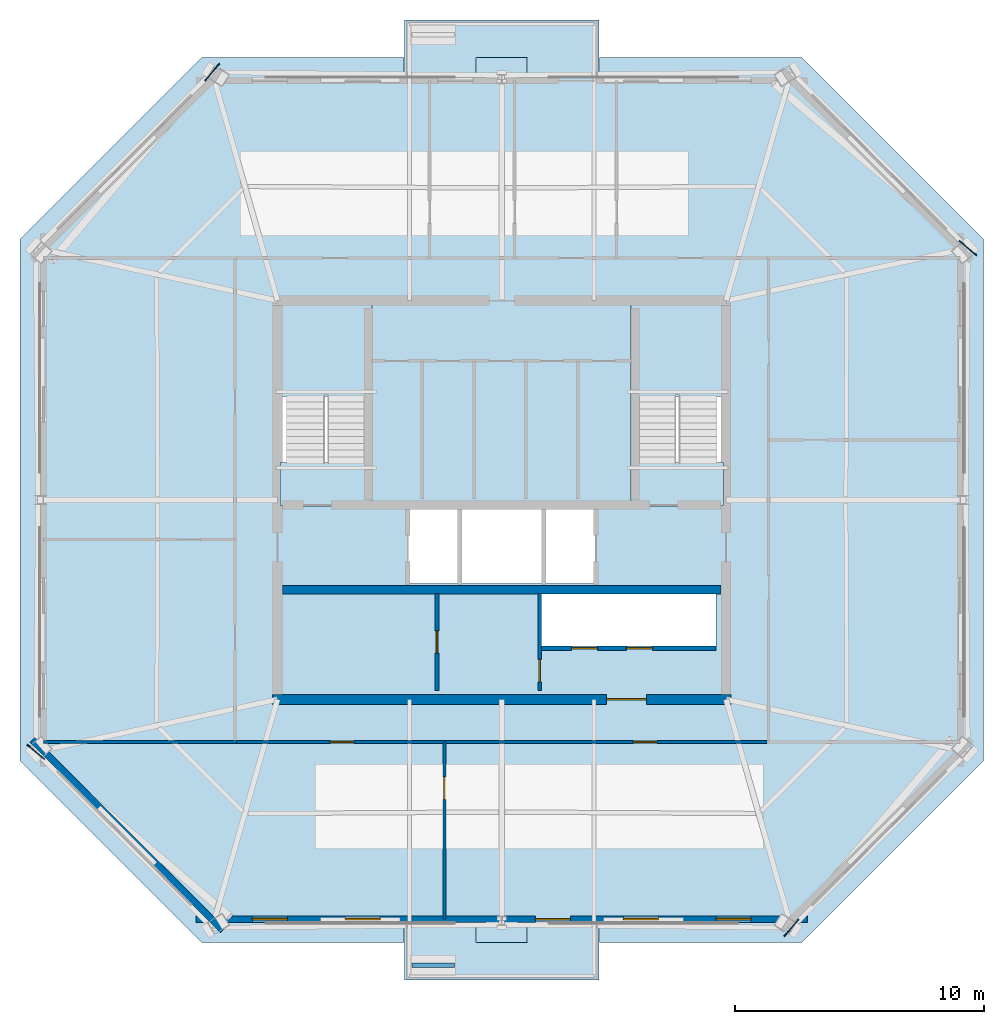
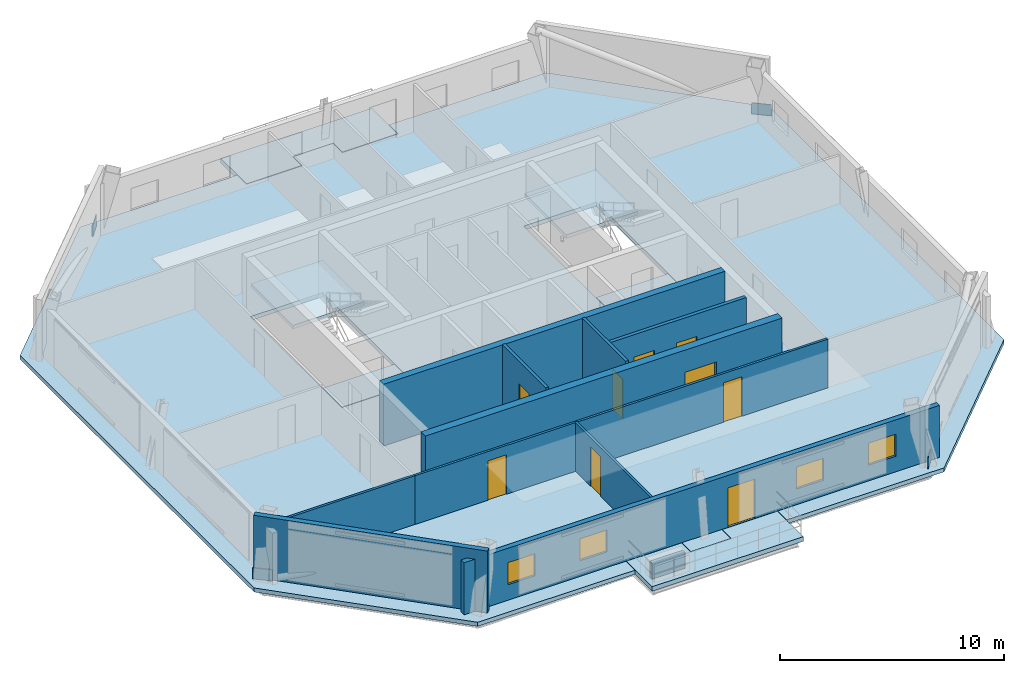
# One storey, part 2 of 7: 11 walls, 9 doors, 7 slabs, 4 plates, 4 windows, 13 openings, 2 elements without a shape of their own.
"""IFC4 building model written with IfcOpenShell, lengths in metres."""

from ifc_helpers import new_model, si_unit, direction, frame, frame_2d, origin, origin_2d, place, context, subcontext, project, spatial, polyline, rectangle, outline, extrude, material, layer, layer_set, type_object, element, fill, aggregate, save


model = new_model("IFC4")

# Units and contexts
model_context = context("Model", 3, precision=1e-05, world=origin(), true_north=direction((0.0, 1.0)))
body_context = subcontext(model_context, "Body", "Model", "MODEL_VIEW")
ifc_project = project(units=[si_unit("LENGTHUNIT", "METRE"), si_unit("AREAUNIT", "SQUARE_METRE"), si_unit("VOLUMEUNIT", "CUBIC_METRE"), si_unit("PLANEANGLEUNIT", "RADIAN"), si_unit("MASSUNIT", "GRAM", prefix="KILO")], contexts=[model_context])

# Site, building, storey
site_placement = place(None, origin())
site = spatial("IfcSite", under=ifc_project, at=site_placement, CompositionType="ELEMENT")
building_placement = place(site_placement, origin())
building = spatial("IfcBuilding", under=site, at=building_placement, Name="Caelvoria Tower", CompositionType="ELEMENT")
storey_placement = place(building_placement, frame((0.0, 0.0, 257.39990234375)))
storey = spatial("IfcBuildingStorey", under=building, at=storey_placement, Name="L68", CompositionType="ELEMENT", Elevation=257.39990234375)

# Plates
ifc_material_1 = material(Name="Structural Steel ASTM A572 Gr.50", Category="steel")
ifc_layer_1 = layer(ifc_material_1, 0.0400390625, Name="Structural Steel ASTM A572 Gr.50")
ifc_layer_set_1 = layer_set([ifc_layer_1], Name="Megaframe Node Gusset Plate 900x600x40 - Structural Steel ASTM A572 Gr.50")
plate_type = type_object("IfcPlateType", Name="Megaframe Node Gusset Plate 900x600x40", PredefinedType="USERDEFINED", material=ifc_layer_set_1)
for number, where, z_axis, x_axis, name in (
    (1, (57.62353515625, 14.83251953125, 0.02001953125), (0.0, 0.0, 1.0), (0.64804812489, 0.761599388016, 0.0), "Chamfer Mega Brace Gusset L68 SE"),
    (2, (64.702880859375, 42.112060546875, 0.02001953125), (0.0, 0.0, 1.0), (-0.762466226339, 0.647028016157, 0.0), "Chamfer Mega Brace Gusset L68 NE"),
    (3, (34.37646484375, 49.16748046875, 0.02001953125), (0.0, 0.0, 1.0), (-0.64804812489, -0.761599388016, 0.0), "Chamfer Mega Brace Gusset L68 NW"),
    (4, (27.297119140625, 21.887939453125, 0.02001953125), (0.0, 0.0, 1.0), (0.762466226339, -0.647028016157, 0.0), "Chamfer Mega Brace Gusset L68 SW"),
):
    element("IfcPlate", number, at=place(storey_placement, frame(where, z_axis=z_axis, x_axis=x_axis)), inside=storey, type_object=plate_type, Name=name, ObjectType="GUSSET_PLATE", PredefinedType="USERDEFINED", context=body_context, shape_type="SweptSolid", body=[
        extrude(rectangle(XDim=0.89990234375, YDim=0.0400390625, at=origin_2d()), origin(), (0.0, 0.0, 1.0), 0.60009765625),
    ])

# Stair, slabs
ifc_material_2 = material(Name="Concrete C40/50", Category="concrete")
stair_type = type_object("IfcStairType", Name="Core Smokeproof Dogleg Stair Concrete C40/50", PredefinedType="HALF_TURN_STAIR", material=ifc_material_2)
stair_1_placement = place(storey_placement, origin())
stair_1 = element("IfcStair", 5, at=stair_1_placement, inside=storey, type_object=stair_type, Name="ST-01 Smokeproof Exit Stair L68", PredefinedType="HALF_TURN_STAIR")
ifc_layer_2 = layer(ifc_material_2, 0.199951171875, Name="Concrete C40/50")
ifc_layer_set_2 = layer_set([ifc_layer_2], Name="Stair Half and Floor Landing Slab 200 Concrete C40/50 - Concrete C40/50")
slab_type_1 = type_object("IfcSlabType", Name="Stair Half and Floor Landing Slab 200 Concrete C40/50", PredefinedType="LANDING", material=ifc_layer_set_2)
slab_1_placement = place(storey_placement, frame((0.0, 0.0, -0.199951171875)))
slab_1 = element("IfcSlab", 6, at=slab_1_placement, type_object=slab_type_1, Name="ST-01 landing 1", PredefinedType="LANDING", context=body_context, shape_type="SweptSolid", body=[
    extrude(outline(polyline([(37.10009765625, 31.77001953125), (40.800048828125, 31.77001953125), (40.800048828125, 33.5), (37.10009765625, 33.5), (37.10009765625, 31.77001953125)])), origin(), (0.0, 0.0, 1.0), 0.199951171875),
])
slab_2_placement = place(storey_placement, frame((0.0, 0.0, 1.60009765625)))
slab_2 = element("IfcSlab", 7, at=slab_2_placement, type_object=slab_type_1, Name="ST-01 landing 2", PredefinedType="LANDING", context=body_context, shape_type="SweptSolid", body=[
    extrude(outline(polyline([(37.10009765625, 36.14990234375), (40.800048828125, 36.14990234375), (40.800048828125, 39.89990234375), (37.10009765625, 39.89990234375), (37.10009765625, 36.14990234375)])), origin(), (0.0, 0.0, 1.0), 0.199951171875),
])
aggregate(stair_1, [slab_1, slab_2])

stair_2_placement = place(storey_placement, origin())
stair_2 = element("IfcStair", 8, at=stair_2_placement, inside=storey, type_object=stair_type, Name="ST-02 Smokeproof Exit Stair L68", PredefinedType="HALF_TURN_STAIR")
slab_3_placement = place(storey_placement, frame((0.0, 0.0, -0.199951171875)))
slab_3 = element("IfcSlab", 9, at=slab_3_placement, type_object=slab_type_1, Name="ST-02 landing 1", PredefinedType="LANDING", context=body_context, shape_type="SweptSolid", body=[
    extrude(outline(polyline([(51.199951171875, 31.77001953125), (54.89990234375, 31.77001953125), (54.89990234375, 33.5), (51.199951171875, 33.5), (51.199951171875, 31.77001953125)])), origin(), (0.0, 0.0, 1.0), 0.199951171875),
])
slab_4_placement = place(storey_placement, frame((0.0, 0.0, 1.60009765625)))
slab_4 = element("IfcSlab", 10, at=slab_4_placement, type_object=slab_type_1, Name="ST-02 landing 2", PredefinedType="LANDING", context=body_context, shape_type="SweptSolid", body=[
    extrude(outline(polyline([(51.199951171875, 36.14990234375), (54.89990234375, 36.14990234375), (54.89990234375, 39.89990234375), (51.199951171875, 39.89990234375), (51.199951171875, 36.14990234375)])), origin(), (0.0, 0.0, 1.0), 0.199951171875),
])
aggregate(stair_2, [slab_3, slab_4])

# Slabs
ifc_material_3 = material(Name="Concrete C45/55", Category="concrete")
ifc_layer_3 = layer(ifc_material_3, 0.25, Name="Concrete C45/55")
ifc_layer_set_3 = layer_set([ifc_layer_3], Name="Tree Balcony Structural Planter Slab 250 - Concrete C45/55")
slab_type_2 = type_object("IfcSlabType", Name="Tree Balcony Structural Planter Slab 250", PredefinedType="FLOOR", material=ifc_layer_set_3)
slab_5_placement = place(storey_placement, frame((0.0, 0.0, -0.25)))
element("IfcSlab", 11, at=slab_5_placement, inside=storey, type_object=slab_type_2, Name="Tree Balcony Slab TB-L68-S", PredefinedType="FLOOR", context=body_context, shape_type="SweptSolid", body=[
    extrude(outline(polyline([(49.89990234375, 14.236328125), (49.89990234375, 15.036376953125), (47.0400390625, 15.036376953125), (47.0400390625, 14.236328125), (44.9599609375, 14.236328125), (44.9599609375, 15.036376953125), (42.10009765625, 15.036376953125), (42.10009765625, 14.236328125), (42.10009765625, 12.736328125), (49.89990234375, 12.736328125), (49.89990234375, 14.236328125)])), origin(), (0.0, 0.0, 1.0), 0.25),
])
slab_6_placement = place(storey_placement, frame((0.0, 0.0, -0.25)))
element("IfcSlab", 12, at=slab_6_placement, inside=storey, type_object=slab_type_2, Name="Tree Balcony Slab TB-L68-N", PredefinedType="FLOOR", context=body_context, shape_type="SweptSolid", body=[
    extrude(outline(polyline([(42.10009765625, 51.263671875), (42.10009765625, 49.763671875), (42.10009765625, 48.963623046875), (44.9599609375, 48.963623046875), (44.9599609375, 49.763671875), (47.0400390625, 49.763671875), (47.0400390625, 48.963623046875), (49.89990234375, 48.963623046875), (49.89990234375, 49.763671875), (49.89990234375, 51.263671875), (42.10009765625, 51.263671875)])), origin(), (0.0, 0.0, 1.0), 0.25),
])
ifc_layer_4 = layer(ifc_material_2, 0.22509765625, Name="Concrete C40/50")
ifc_layer_set_4 = layer_set([ifc_layer_4], Name="Upper Tower Composite Office Slab 225 - Concrete C40/50")
slab_type_3 = type_object("IfcSlabType", Name="Upper Tower Composite Office Slab 225", PredefinedType="FLOOR", material=ifc_layer_set_4)
slab_7_placement = place(storey_placement, frame((0.0, 0.0, -0.224853515625)))
element("IfcSlab", 13, at=slab_7_placement, inside=storey, type_object=slab_type_3, Name="Level L68 Structural Floor Slab", PredefinedType="FLOOR", context=body_context, shape_type="SweptSolid", body=[
    extrude(outline(polyline([(26.66357421875, 42.45458984375), (26.66357421875, 21.54541015625), (33.97265625, 14.236328125), (42.080078125, 14.236328125), (42.080078125, 15.056396484375), (44.97998046875, 15.056396484375), (44.97998046875, 14.236328125), (47.02001953125, 14.236328125), (47.02001953125, 15.056396484375), (49.919921875, 15.056396484375), (49.919921875, 14.236328125), (58.02734375, 14.236328125), (65.33642578125, 21.54541015625), (65.33642578125, 42.45458984375), (58.02734375, 49.763671875), (49.919921875, 49.763671875), (49.919921875, 48.943603515625), (47.02001953125, 48.943603515625), (47.02001953125, 49.763671875), (44.97998046875, 49.763671875), (44.97998046875, 48.943603515625), (42.080078125, 48.943603515625), (42.080078125, 49.763671875), (33.97265625, 49.763671875), (26.66357421875, 42.45458984375)]), holes=[polyline([(37.080078125, 31.75), (40.820068359375, 31.75), (40.820068359375, 39.919921875), (37.080078125, 39.919921875), (37.080078125, 31.75)]), polyline([(51.179931640625, 31.75), (54.919921875, 31.75), (54.919921875, 39.919921875), (51.179931640625, 39.919921875), (51.179931640625, 31.75)]), polyline([(42.25, 28.64990234375), (49.75, 28.64990234375), (49.75, 31.800048828125), (42.25, 31.800048828125), (42.25, 28.64990234375)]), polyline([(47.60009765625, 26.14990234375), (54.60009765625, 26.14990234375), (54.60009765625, 28.25), (47.60009765625, 28.25), (47.60009765625, 26.14990234375)])]), origin(), (0.0, 0.0, 1.0), 0.224853515625),
])

# Walls
ifc_material_4 = material(Name="Bronze-Clad Concrete C40/50", Category="concrete")
ifc_layer_5 = layer(ifc_material_4, 0.179931640625, Name="Bronze-Clad Concrete C40/50")
ifc_layer_set_5 = layer_set([ifc_layer_5], Name="Architectural Planter Kerb Wall 180 - Bronze-Clad Concrete C40/50")
wall_type_1 = type_object("IfcWallType", Name="Architectural Planter Kerb Wall 180", PredefinedType="PARAPET", material=ifc_layer_set_5)
wall_1_placement = place(storey_placement, frame((42.39990234375, 13.33642578125, 0.0), z_axis=(0.0, 0.0, 1.0), x_axis=(1.0, 0.0, 0.0)))
element("IfcWall", 14, at=wall_1_placement, inside=storey, type_object=wall_type_1, Name="Tree Balcony Planter Kerb PLANTER TB-L68-S", PredefinedType="PARAPET", context=body_context, shape_type="SweptSolid", body=[
    extrude(rectangle(XDim=1.7001953125, YDim=0.179931640625, at=frame_2d((0.85009765625, 0.0))), origin(), (0.0, 0.0, 1.0), 0.880126953125),
])
ifc_material_5 = material(Name="Concrete C50/60", Category="concrete")
ifc_layer_6 = layer(ifc_material_5, 0.35009765625, Name="Concrete C50/60")
ifc_layer_set_6 = layer_set([ifc_layer_6], Name="Core Internal Shear Wall 350 - Concrete C50/60")
wall_type_2 = type_object("IfcWallType", Name="Core Internal Shear Wall 350", PredefinedType="SHEAR", material=ifc_layer_set_6)
wall_2_placement = place(storey_placement, frame((37.199951171875, 28.39990234375, 0.0), z_axis=(0.0, 0.0, 1.0), x_axis=(1.0, 0.0, 0.0)))
element("IfcWall", 15, at=wall_2_placement, inside=storey, type_object=wall_type_2, Name="Core Shear Wall L68 M2", PredefinedType="SHEAR", context=body_context, shape_type="SweptSolid", body=[
    extrude(rectangle(XDim=17.60009765625, YDim=0.35009765625, at=frame_2d((8.800048828125, 0.0))), origin(), (0.0, 0.0, 1.0), 3.360107421875),
])

# Wall, opening, door
ifc_material_6 = material(Name="Double Gypsum Board on Steel Stud", Category="steel")
ifc_layer_7 = layer(ifc_material_6, 0.14990234375, Name="Double Gypsum Board on Steel Stud")
ifc_layer_set_7 = layer_set([ifc_layer_7], Name="Core Service Acoustic Partition Wall 150 - Double Gypsum Board on Steel Stud")
wall_type_3 = type_object("IfcWallType", Name="Core Service Acoustic Partition Wall 150", PredefinedType="PARTITIONING", material=ifc_layer_set_7)
wall_3_placement = place(storey_placement, frame((43.39990234375, 24.35009765625, 0.0), z_axis=(0.0, 0.0, 1.0), x_axis=(0.0, 1.0, 0.0)))
wall_3 = element("IfcWall", 16, at=wall_3_placement, inside=storey, type_object=wall_type_3, Name="Interior Partition IW-L68-RECL-MID", PredefinedType="PARTITIONING", context=body_context, shape_type="SweptSolid", body=[
    extrude(rectangle(XDim=3.89990234375, YDim=0.14990234375, at=frame_2d((1.949951171875, 0.0))), origin(), (0.0, 0.0, 1.0), 3.375),
])
opening_1_placement = place(wall_3_placement, frame((1.5, 0.0, 0.0)))
opening_1 = element("IfcOpeningElement", 17, at=opening_1_placement, cuts=wall_3, Name="Opening ID-06", PredefinedType="OPENING", context=body_context, shape_type="SweptSolid", body=[
    extrude(rectangle(XDim=0.89990234375, YDim=2.14990234375, at=frame_2d((0.449951171875, 1.074951171875))), frame((0.0, 0.0849609375, 0.0), z_axis=(0.0, -1.0, 0.0), x_axis=(1.0, 0.0, 0.0)), (0.0, 0.0, 1.0), 0.169921875),
])
ifc_material_7 = material(Name="Engineered Andean Oak Veneer Door", Category="wood")
door_type_1 = type_object("IfcDoorType", Name="Interior Timber Door 900x2150", OperationType="NOTDEFINED", PredefinedType="DOOR", material=ifc_material_7)
door_1_placement = place(opening_1_placement, origin())
door_1 = element("IfcDoor", 18, at=door_1_placement, inside=storey, type_object=door_type_1, Name="Interior Door DR-L68-RECL12", OperationType="SINGLE_SWING_LEFT", OverallHeight=2.14990234375, OverallWidth=0.89990234375, PredefinedType="DOOR", context=body_context, shape_type="SweptSolid", body=[
    extrude(rectangle(XDim=0.89990234375, YDim=2.14990234375, at=frame_2d((0.449951171875, 1.074951171875))), frame((0.0, 0.02490234375, 0.0), z_axis=(0.0, -1.0, 0.0), x_axis=(1.0, 0.0, 0.0)), (0.0, 0.0, 1.0), 0.050048828125),
])
fill(opening_1, door_1)

wall_4_placement = place(storey_placement, frame((47.52001953125, 24.35009765625, 0.0), z_axis=(0.0, 0.0, 1.0), x_axis=(0.0, 1.0, 0.0)))
wall_4 = element("IfcWall", 19, at=wall_4_placement, inside=storey, type_object=wall_type_3, Name="Interior Partition IW-L68-RECL2E", PredefinedType="PARTITIONING", context=body_context, shape_type="SweptSolid", body=[
    extrude(rectangle(XDim=3.89990234375, YDim=0.14990234375, at=frame_2d((1.949951171875, 0.0))), origin(), (0.0, 0.0, 1.0), 3.375),
])
opening_2_placement = place(wall_4_placement, frame((0.35009765625, 0.0, 0.0)))
opening_2 = element("IfcOpeningElement", 20, at=opening_2_placement, cuts=wall_4, Name="Opening ID-04", PredefinedType="OPENING", context=body_context, shape_type="SweptSolid", body=[
    extrude(rectangle(XDim=0.89990234375, YDim=2.14990234375, at=frame_2d((0.449951171875, 1.074951171875))), frame((0.0, 0.0849609375, 0.0), z_axis=(0.0, -1.0, 0.0), x_axis=(1.0, 0.0, 0.0)), (0.0, 0.0, 1.0), 0.169921875),
])
ifc_material_8 = material(Name="Acoustic Timber Fire Door", Category="wood")
door_type_2 = type_object("IfcDoorType", Name="Fire Door FD30S 900x2150", OperationType="NOTDEFINED", PredefinedType="DOOR", material=ifc_material_8)
door_2_placement = place(opening_2_placement, origin())
door_2 = element("IfcDoor", 21, at=door_2_placement, inside=storey, type_object=door_type_2, Name="Interior Door DR-L68-RECL2", OperationType="SINGLE_SWING_RIGHT", OverallHeight=2.14990234375, OverallWidth=0.89990234375, PredefinedType="DOOR", context=body_context, shape_type="SweptSolid", body=[
    extrude(rectangle(XDim=0.89990234375, YDim=2.14990234375, at=frame_2d((0.449951171875, 1.074951171875))), frame((0.0, 0.02490234375, 0.0), z_axis=(0.0, -1.0, 0.0), x_axis=(1.0, 0.0, 0.0)), (0.0, 0.0, 1.0), 0.050048828125),
])
fill(opening_2, door_2)

# Wall, openings, doors
ifc_material_9 = material(Name="Concrete Block and Fireboard Assembly", Category="concrete")
ifc_layer_8 = layer(ifc_material_9, 0.179931640625, Name="Concrete Block and Fireboard Assembly")
ifc_layer_set_8 = layer_set([ifc_layer_8], Name="Fire-Rated Hoistway Partition Wall 180 - Concrete Block and Fireboard Assembly")
wall_type_4 = type_object("IfcWallType", Name="Fire-Rated Hoistway Partition Wall 180", PredefinedType="PARTITIONING", material=ifc_layer_set_8)
wall_5_placement = place(storey_placement, frame((47.60009765625, 26.050048828125, 0.0), z_axis=(0.0, 0.0, 1.0), x_axis=(1.0, 0.0, 0.0)))
wall_5 = element("IfcWall", 22, at=wall_5_placement, inside=storey, type_object=wall_type_4, Name="Interior Partition IW-L68-LFRONT", PredefinedType="PARTITIONING", context=body_context, shape_type="SweptSolid", body=[
    extrude(rectangle(XDim=7.0, YDim=0.179931640625, at=frame_2d((3.5, 0.0))), origin(), (0.0, 0.0, 1.0), 3.375),
])
opening_3_placement = place(wall_5_placement, frame((1.199951171875, 0.0, 0.0)))
opening_3 = element("IfcOpeningElement", 23, at=opening_3_placement, cuts=wall_5, Name="Opening LD-01", PredefinedType="OPENING", context=body_context, shape_type="SweptSolid", body=[
    extrude(rectangle(XDim=1.050048828125, YDim=2.14990234375, at=frame_2d((0.52490234375, 1.074951171875))), frame((0.0, 0.099853515625, 0.0), z_axis=(0.0, -1.0, 0.0), x_axis=(1.0, 0.0, 0.0)), (0.0, 0.0, 1.0), 0.199951171875),
])
opening_4_placement = place(wall_5_placement, frame((3.39990234375, 0.0, 0.0)))
opening_4 = element("IfcOpeningElement", 24, at=opening_4_placement, cuts=wall_5, Name="Opening LD-01", PredefinedType="OPENING", context=body_context, shape_type="SweptSolid", body=[
    extrude(rectangle(XDim=1.050048828125, YDim=2.14990234375, at=frame_2d((0.52490234375, 1.074951171875))), frame((0.0, 0.099853515625, 0.0), z_axis=(0.0, -1.0, 0.0), x_axis=(1.0, 0.0, 0.0)), (0.0, 0.0, 1.0), 0.199951171875),
])
ifc_material_10 = material(Name="Brushed Bronze Stainless Sliding Landing Door", Category="aluminium")
door_type_3 = type_object("IfcDoorType", Name="Lift Landing Sliding Door 1100x2150", OperationType="NOTDEFINED", PredefinedType="DOOR", material=ifc_material_10)
door_3_placement = place(opening_3_placement, origin())
door_3 = element("IfcDoor", 25, at=door_3_placement, inside=storey, type_object=door_type_3, Name="Interior Door LD-L68-PH1", OperationType="SLIDING_TO_LEFT", OverallHeight=2.14990234375, OverallWidth=1.050048828125, PredefinedType="DOOR", context=body_context, shape_type="SweptSolid", body=[
    extrude(rectangle(XDim=1.050048828125, YDim=2.14990234375, at=frame_2d((0.52490234375, 1.074951171875))), frame((0.0, 0.02490234375, 0.0), z_axis=(0.0, -1.0, 0.0), x_axis=(1.0, 0.0, 0.0)), (0.0, 0.0, 1.0), 0.050048828125),
])
fill(opening_3, door_3)
door_4_placement = place(opening_4_placement, origin())
door_4 = element("IfcDoor", 26, at=door_4_placement, inside=storey, type_object=door_type_3, Name="Interior Door LD-L68-PH2", OperationType="SLIDING_TO_RIGHT", OverallHeight=2.14990234375, OverallWidth=1.050048828125, PredefinedType="DOOR", context=body_context, shape_type="SweptSolid", body=[
    extrude(rectangle(XDim=1.050048828125, YDim=2.14990234375, at=frame_2d((0.52490234375, 1.074951171875))), frame((0.0, 0.02490234375, 0.0), z_axis=(0.0, -1.0, 0.0), x_axis=(1.0, 0.0, 0.0)), (0.0, 0.0, 1.0), 0.050048828125),
])
fill(opening_4, door_4)

# Wall, opening, door
ifc_layer_9 = layer(ifc_material_5, 0.39990234375, Name="Concrete C50/60")
ifc_layer_set_9 = layer_set([ifc_layer_9], Name="Summit Core Shear Wall 400 - Concrete C50/60")
wall_type_5 = type_object("IfcWallType", Name="Summit Core Shear Wall 400", PredefinedType="SHEAR", material=ifc_layer_set_9)
wall_6_placement = place(storey_placement, frame((36.800048828125, 24.0, 0.0), z_axis=(0.0, 0.0, 1.0), x_axis=(1.0, 0.0, 0.0)))
wall_6 = element("IfcWall", 27, at=wall_6_placement, inside=storey, type_object=wall_type_5, Name="Core Shear Wall L68 S", PredefinedType="SHEAR", context=body_context, shape_type="SweptSolid", body=[
    extrude(rectangle(XDim=18.39990234375, YDim=0.39990234375, at=frame_2d((9.199951171875, 0.0))), origin(), (0.0, 0.0, 1.0), 3.360107421875),
])
opening_5_placement = place(wall_6_placement, frame((13.39990234375, 0.0, 0.0)))
opening_5 = element("IfcOpeningElement", 28, at=opening_5_placement, cuts=wall_6, Name="Opening ID-08", PredefinedType="OPENING", context=body_context, shape_type="SweptSolid", body=[
    extrude(rectangle(XDim=1.60009765625, YDim=2.14990234375, at=frame_2d((0.800048828125, 1.074951171875))), frame((0.0, 0.2099609375, 0.0), z_axis=(0.0, -1.0, 0.0), x_axis=(1.0, 0.0, 0.0)), (0.0, 0.0, 1.0), 0.419921875),
])
ifc_material_11 = material(Name="Bronze-Framed Fire-Rated Glazed Double Door", Category="aluminium")
door_type_4 = type_object("IfcDoorType", Name="Double Lobby Glazed Door 1600x2200", OperationType="NOTDEFINED", PredefinedType="DOOR", material=ifc_material_11)
door_5_placement = place(opening_5_placement, origin())
door_5 = element("IfcDoor", 29, at=door_5_placement, inside=storey, type_object=door_type_4, Name="Core Door DR-L68-LLOB-S2", OperationType="DOUBLE_DOOR_SINGLE_SWING", OverallHeight=2.14990234375, OverallWidth=1.60009765625, PredefinedType="DOOR", context=body_context, shape_type="SweptSolid", body=[
    extrude(rectangle(XDim=1.60009765625, YDim=2.14990234375, at=frame_2d((0.800048828125, 1.074951171875))), frame((0.0, 0.02490234375, 0.0), z_axis=(0.0, -1.0, 0.0), x_axis=(1.0, 0.0, 0.0)), (0.0, 0.0, 1.0), 0.050048828125),
])
fill(opening_5, door_5)

ifc_material_12 = material(Name="Acoustic Gypsum Board on Light-Gauge Stud", Category="gypsum")
ifc_layer_10 = layer(ifc_material_12, 0.1201171875, Name="Acoustic Gypsum Board on Light-Gauge Stud")
ifc_layer_set_10 = layer_set([ifc_layer_10], Name="Tenant Suite Acoustic Partition Wall 120 - Acoustic Gypsum Board on Light-Gauge Stud")
wall_type_6 = type_object("IfcWallType", Name="Tenant Suite Acoustic Partition Wall 120", PredefinedType="PARTITIONING", material=ifc_layer_set_10)
wall_7_placement = place(storey_placement, frame((43.693115234375, 22.2900390625, 0.0), z_axis=(0.0, 0.0, 1.0), x_axis=(0.0, -1.0, 0.0)))
wall_7 = element("IfcWall", 30, at=wall_7_placement, inside=storey, type_object=wall_type_6, Name="Interior Partition IW-L68-SD-00-0", PredefinedType="PARTITIONING", context=body_context, shape_type="SweptSolid", body=[
    extrude(rectangle(XDim=7.113525390625, YDim=0.1201171875, at=frame_2d((3.556640625, 0.0))), origin(), (0.0, 0.0, 1.0), 2.655029296875),
])
opening_6_placement = place(wall_7_placement, frame((1.39990234375, 0.0, 0.0)))
opening_6 = element("IfcOpeningElement", 31, at=opening_6_placement, cuts=wall_7, Name="Opening ID-06", PredefinedType="OPENING", context=body_context, shape_type="SweptSolid", body=[
    extrude(rectangle(XDim=0.89990234375, YDim=2.14990234375, at=frame_2d((0.449951171875, 1.074951171875))), frame((0.0, 0.070068359375, 0.0), z_axis=(0.0, -1.0, 0.0), x_axis=(1.0, 0.0, 0.0)), (0.0, 0.0, 1.0), 0.14013671875),
])
door_6_placement = place(opening_6_placement, origin())
door_6 = element("IfcDoor", 32, at=door_6_placement, inside=storey, type_object=door_type_1, Name="Interior Door DR-L68-SM-00-0", OperationType="SINGLE_SWING_RIGHT", OverallHeight=2.14990234375, OverallWidth=0.89990234375, PredefinedType="DOOR", context=body_context, shape_type="SweptSolid", body=[
    extrude(rectangle(XDim=0.89990234375, YDim=2.14990234375, at=frame_2d((0.449951171875, 1.074951171875))), frame((0.0, 0.02490234375, 0.0), z_axis=(0.0, -1.0, 0.0), x_axis=(1.0, 0.0, 0.0)), (0.0, 0.0, 1.0), 0.050048828125),
])
fill(opening_6, door_6)

# Wall, openings, doors
wall_8_placement = place(storey_placement, frame((35.35009765625, 22.2900390625, 0.0), z_axis=(0.0, 0.0, 1.0), x_axis=(1.0, 0.0, 0.0)))
wall_8 = element("IfcWall", 33, at=wall_8_placement, inside=storey, type_object=wall_type_6, Name="Interior Partition IW-L68-SCW-0", PredefinedType="PARTITIONING", context=body_context, shape_type="SweptSolid", body=[
    extrude(rectangle(XDim=21.2998046875, YDim=0.1201171875, at=frame_2d((10.64990234375, 0.0))), origin(), (0.0, 0.0, 1.0), 2.655029296875),
])
opening_7_placement = place(wall_8_placement, frame((3.7666015625, 0.0, 0.0)))
opening_7 = element("IfcOpeningElement", 34, at=opening_7_placement, cuts=wall_8, Name="Opening ID-05", PredefinedType="OPENING", context=body_context, shape_type="SweptSolid", body=[
    extrude(rectangle(XDim=0.949951171875, YDim=2.14990234375, at=frame_2d((0.47509765625, 1.074951171875))), frame((0.0, 0.070068359375, 0.0), z_axis=(0.0, -1.0, 0.0), x_axis=(1.0, 0.0, 0.0)), (0.0, 0.0, 1.0), 0.14013671875),
])
opening_8_placement = place(wall_8_placement, frame((15.925048828125, 0.0, 0.0)))
opening_8 = element("IfcOpeningElement", 35, at=opening_8_placement, cuts=wall_8, Name="Opening ID-05", PredefinedType="OPENING", context=body_context, shape_type="SweptSolid", body=[
    extrude(rectangle(XDim=0.949951171875, YDim=2.14990234375, at=frame_2d((0.47509765625, 1.074951171875))), frame((0.0, 0.070068359375, 0.0), z_axis=(0.0, -1.0, 0.0), x_axis=(1.0, 0.0, 0.0)), (0.0, 0.0, 1.0), 0.14013671875),
])
door_type_5 = type_object("IfcDoorType", Name="Interior Timber Door 950x2150", OperationType="NOTDEFINED", PredefinedType="DOOR", material=ifc_material_7)
door_7_placement = place(opening_7_placement, origin())
door_7 = element("IfcDoor", 36, at=door_7_placement, inside=storey, type_object=door_type_5, Name="Interior Door DR-L68-SC-00-0", OperationType="SINGLE_SWING_LEFT", OverallHeight=2.14990234375, OverallWidth=0.949951171875, PredefinedType="DOOR", context=body_context, shape_type="SweptSolid", body=[
    extrude(rectangle(XDim=0.949951171875, YDim=2.14990234375, at=frame_2d((0.47509765625, 1.074951171875))), frame((0.0, 0.02490234375, 0.0), z_axis=(0.0, -1.0, 0.0), x_axis=(1.0, 0.0, 0.0)), (0.0, 0.0, 1.0), 0.050048828125),
])
fill(opening_7, door_7)
door_8_placement = place(opening_8_placement, origin())
door_8 = element("IfcDoor", 37, at=door_8_placement, inside=storey, type_object=door_type_5, Name="Interior Door DR-L68-SC-01-0", OperationType="SINGLE_SWING_RIGHT", OverallHeight=2.14990234375, OverallWidth=0.949951171875, PredefinedType="DOOR", context=body_context, shape_type="SweptSolid", body=[
    extrude(rectangle(XDim=0.949951171875, YDim=2.14990234375, at=frame_2d((0.47509765625, 1.074951171875))), frame((0.0, 0.02490234375, 0.0), z_axis=(0.0, -1.0, 0.0), x_axis=(1.0, 0.0, 0.0)), (0.0, 0.0, 1.0), 0.050048828125),
])
fill(opening_8, door_8)

# Wall
wall_9_placement = place(storey_placement, frame((35.35009765625, 22.2900390625, 0.0), z_axis=(0.0, 0.0, 1.0), x_axis=(-1.0, 0.0, 0.0)))
element("IfcWall", 38, at=wall_9_placement, inside=storey, type_object=wall_type_6, Name="Interior Partition IW-L68-BSW-0", PredefinedType="PARTITIONING", context=body_context, shape_type="SweptSolid", body=[
    extrude(rectangle(XDim=7.74658203125, YDim=0.1201171875, at=frame_2d((3.873291015625, 0.0))), origin(), (0.0, 0.0, 1.0), 2.655029296875),
])

# Wall, openings, windows, door
ifc_material_13 = material(Name="Precast Concrete C40/50 with Bronze Cladding", Category="concrete")
ifc_layer_11 = layer(ifc_material_13, 0.264892578125, Name="Precast Concrete C40/50 with Bronze Cladding")
ifc_layer_set_11 = layer_set([ifc_layer_11], Name="Upper Taper Precast Concrete C40/50 Bronze Facade Wall 265 - Precast Concrete C40/50 with Bronze Cladding")
wall_type_7 = type_object("IfcWallType", Name="Upper Taper Precast Concrete C40/50 Bronze Facade Wall 265", PredefinedType="STANDARD", material=ifc_layer_set_11)
wall_10_placement = place(storey_placement, frame((33.732666015625, 15.176513671875, 0.0), z_axis=(0.0, 0.0, 1.0), x_axis=(1.0, 0.0, 0.0)))
wall_10 = element("IfcWall", 39, at=wall_10_placement, inside=storey, type_object=wall_type_7, Name="Exterior Facade Wall L68-E0", PredefinedType="STANDARD", context=body_context, shape_type="SweptSolid", body=[
    extrude(rectangle(XDim=24.53466796875, YDim=0.264892578125, at=frame_2d((12.267333984375, 0.0))), origin(), (0.0, 0.0, 1.0), 2.83203125),
])
opening_9_placement = place(wall_10_placement, frame((13.6171875, 0.0, 0.0)))
opening_9 = element("IfcOpeningElement", 40, at=opening_9_placement, cuts=wall_10, Name="Opening ED-04", PredefinedType="OPENING", context=body_context, shape_type="SweptSolid", body=[
    extrude(rectangle(XDim=1.39990234375, YDim=2.14990234375, at=frame_2d((0.699951171875, 1.074951171875))), frame((0.0, 0.142333984375, 0.0), z_axis=(0.0, -1.0, 0.0), x_axis=(1.0, 0.0, 0.0)), (0.0, 0.0, 1.0), 0.284912109375),
])
opening_10_placement = place(wall_10_placement, frame((2.26123046875, 0.0, 0.85009765625)))
opening_10 = element("IfcOpeningElement", 41, at=opening_10_placement, cuts=wall_10, Name="Opening WN-06", PredefinedType="OPENING", context=body_context, shape_type="SweptSolid", body=[
    extrude(rectangle(XDim=1.39990234375, YDim=1.199951171875, at=frame_2d((0.699951171875, 0.60009765625))), frame((0.0, 0.142333984375, 0.0), z_axis=(0.0, -1.0, 0.0), x_axis=(1.0, 0.0, 0.0)), (0.0, 0.0, 1.0), 0.284912109375),
])
opening_11_placement = place(wall_10_placement, frame((5.983642578125, 0.0, 0.85009765625)))
opening_11 = element("IfcOpeningElement", 42, at=opening_11_placement, cuts=wall_10, Name="Opening WN-06", PredefinedType="OPENING", context=body_context, shape_type="SweptSolid", body=[
    extrude(rectangle(XDim=1.39990234375, YDim=1.199951171875, at=frame_2d((0.699951171875, 0.60009765625))), frame((0.0, 0.142333984375, 0.0), z_axis=(0.0, -1.0, 0.0), x_axis=(1.0, 0.0, 0.0)), (0.0, 0.0, 1.0), 0.284912109375),
])
opening_12_placement = place(wall_10_placement, frame((17.15087890625, 0.0, 0.85009765625)))
opening_12 = element("IfcOpeningElement", 43, at=opening_12_placement, cuts=wall_10, Name="Opening WN-06", PredefinedType="OPENING", context=body_context, shape_type="SweptSolid", body=[
    extrude(rectangle(XDim=1.39990234375, YDim=1.199951171875, at=frame_2d((0.699951171875, 0.60009765625))), frame((0.0, 0.142333984375, 0.0), z_axis=(0.0, -1.0, 0.0), x_axis=(1.0, 0.0, 0.0)), (0.0, 0.0, 1.0), 0.284912109375),
])
opening_13_placement = place(wall_10_placement, frame((20.873291015625, 0.0, 0.85009765625)))
opening_13 = element("IfcOpeningElement", 44, at=opening_13_placement, cuts=wall_10, Name="Opening WN-06", PredefinedType="OPENING", context=body_context, shape_type="SweptSolid", body=[
    extrude(rectangle(XDim=1.39990234375, YDim=1.199951171875, at=frame_2d((0.699951171875, 0.60009765625))), frame((0.0, 0.142333984375, 0.0), z_axis=(0.0, -1.0, 0.0), x_axis=(1.0, 0.0, 0.0)), (0.0, 0.0, 1.0), 0.284912109375),
])
ifc_material_14 = material(Name="Low-E Tinted Glass in Bronze Aluminium Frame", Category="aluminium")
window_type = type_object("IfcWindowType", Name="Podium Clerestory Window 1400x1200", PartitioningType="SINGLE_PANEL", PredefinedType="WINDOW", material=ifc_material_14)
window_1_placement = place(opening_10_placement, origin())
window_1 = element("IfcWindow", 45, at=window_1_placement, inside=storey, type_object=window_type, Name="Facade Window L68-E0-00", OverallHeight=1.199951171875, OverallWidth=1.39990234375, PartitioningType="SINGLE_PANEL", PredefinedType="WINDOW", context=body_context, shape_type="SweptSolid", body=[
    extrude(rectangle(XDim=1.39990234375, YDim=1.199951171875, at=frame_2d((0.699951171875, 0.60009765625))), frame((0.0, 0.030029296875, 0.0), z_axis=(0.0, -1.0, 0.0), x_axis=(1.0, 0.0, 0.0)), (0.0, 0.0, 1.0), 0.06005859375),
])
fill(opening_10, window_1)
window_2_placement = place(opening_11_placement, origin())
window_2 = element("IfcWindow", 46, at=window_2_placement, inside=storey, type_object=window_type, Name="Facade Window L68-E0-01", OverallHeight=1.199951171875, OverallWidth=1.39990234375, PartitioningType="SINGLE_PANEL", PredefinedType="WINDOW", context=body_context, shape_type="SweptSolid", body=[
    extrude(rectangle(XDim=1.39990234375, YDim=1.199951171875, at=frame_2d((0.699951171875, 0.60009765625))), frame((0.0, 0.030029296875, 0.0), z_axis=(0.0, -1.0, 0.0), x_axis=(1.0, 0.0, 0.0)), (0.0, 0.0, 1.0), 0.06005859375),
])
fill(opening_11, window_2)
window_3_placement = place(opening_12_placement, origin())
window_3 = element("IfcWindow", 47, at=window_3_placement, inside=storey, type_object=window_type, Name="Facade Window L68-E0-04", OverallHeight=1.199951171875, OverallWidth=1.39990234375, PartitioningType="SINGLE_PANEL", PredefinedType="WINDOW", context=body_context, shape_type="SweptSolid", body=[
    extrude(rectangle(XDim=1.39990234375, YDim=1.199951171875, at=frame_2d((0.699951171875, 0.60009765625))), frame((0.0, 0.030029296875, 0.0), z_axis=(0.0, -1.0, 0.0), x_axis=(1.0, 0.0, 0.0)), (0.0, 0.0, 1.0), 0.06005859375),
])
fill(opening_12, window_3)
window_4_placement = place(opening_13_placement, origin())
window_4 = element("IfcWindow", 48, at=window_4_placement, inside=storey, type_object=window_type, Name="Facade Window L68-E0-05", OverallHeight=1.199951171875, OverallWidth=1.39990234375, PartitioningType="SINGLE_PANEL", PredefinedType="WINDOW", context=body_context, shape_type="SweptSolid", body=[
    extrude(rectangle(XDim=1.39990234375, YDim=1.199951171875, at=frame_2d((0.699951171875, 0.60009765625))), frame((0.0, 0.030029296875, 0.0), z_axis=(0.0, -1.0, 0.0), x_axis=(1.0, 0.0, 0.0)), (0.0, 0.0, 1.0), 0.06005859375),
])
fill(opening_13, window_4)
ifc_material_15 = material(Name="Anodised Bronze Aluminium and Laminated Glass", Category="aluminium")
door_type_6 = type_object("IfcDoorType", Name="Tree Balcony Glazed Door 1400x2150", OperationType="NOTDEFINED", PredefinedType="DOOR", material=ifc_material_15)
door_9_placement = place(opening_9_placement, origin())
door_9 = element("IfcDoor", 49, at=door_9_placement, inside=storey, type_object=door_type_6, Name="Tree Balcony Door L68-S", OperationType="SINGLE_SWING_LEFT", OverallHeight=2.14990234375, OverallWidth=1.39990234375, PredefinedType="DOOR", context=body_context, shape_type="SweptSolid", body=[
    extrude(rectangle(XDim=1.39990234375, YDim=2.14990234375, at=frame_2d((0.699951171875, 1.074951171875))), frame((0.0, 0.02490234375, 0.0), z_axis=(0.0, -1.0, 0.0), x_axis=(1.0, 0.0, 0.0)), (0.0, 0.0, 1.0), 0.050048828125),
])
fill(opening_9, door_9)

# Wall
wall_11_placement = place(storey_placement, frame((27.15869140625, 22.3798828125, 0.0), z_axis=(0.0, 0.0, 1.0), x_axis=(0.707106781187, -0.707106781187, 0.0)))
element("IfcWall", 50, at=wall_11_placement, inside=storey, type_object=wall_type_7, Name="Exterior Facade Wall L68-E7", PredefinedType="STANDARD", context=body_context, shape_type="SweptSolid", body=[
    extrude(rectangle(XDim=10.81640625, YDim=0.264892578125, at=frame_2d((5.408203125, 0.0))), origin(), (0.0, 0.0, 1.0), 3.375),
])

save(model, "model.ifc")
